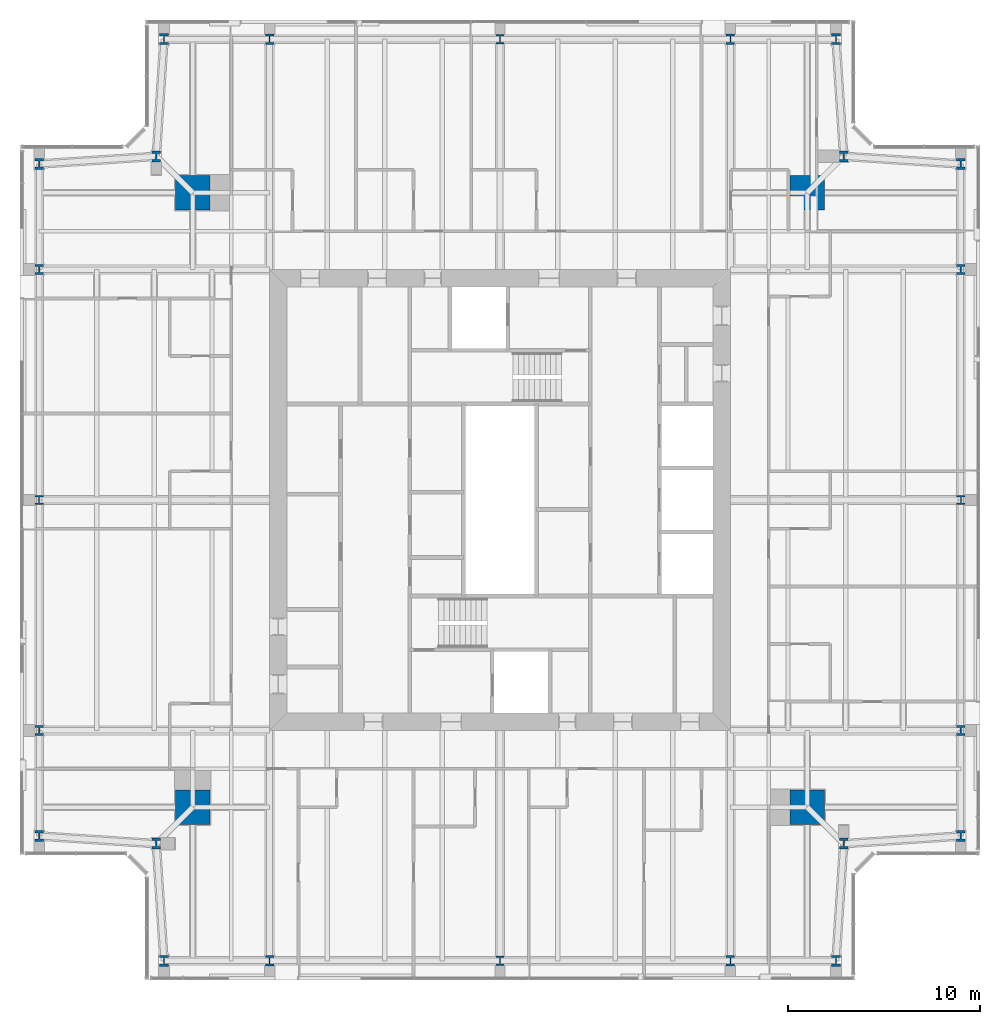
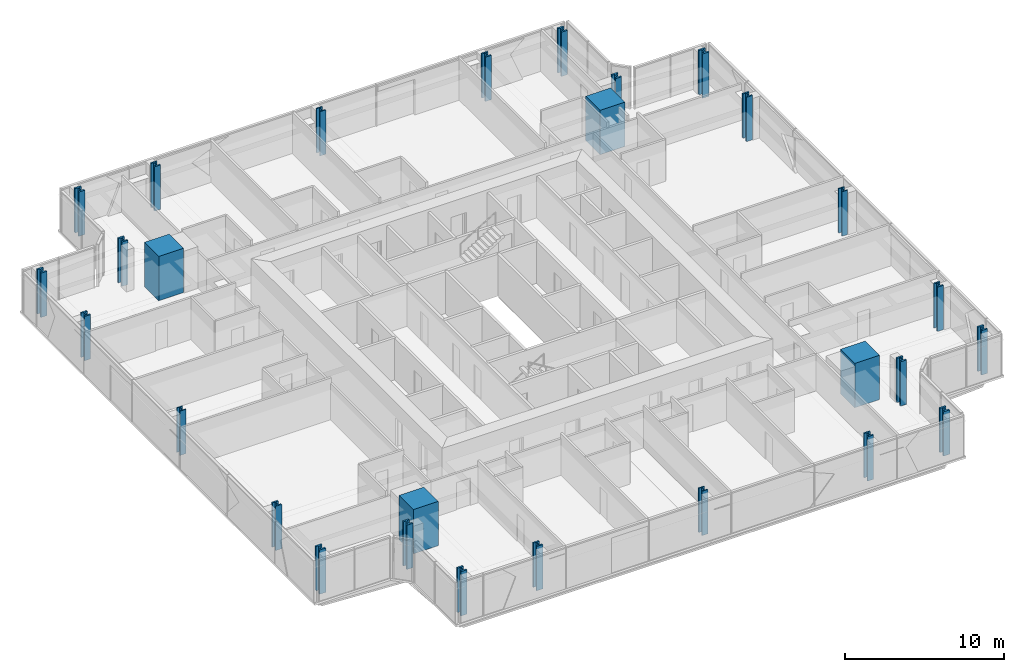
# One storey, part 1 of 18: 28 columns.
"""IFC4 building model written with IfcOpenShell, lengths in metres."""

from ifc_helpers import new_model, si_unit, direction, frame, origin, origin_2d, place, context, subcontext, project, spatial, rectangle, i_section, extrude, material, material_profile, profile_set, type_object, element, save


model = new_model("IFC4")

# Units and contexts
model_context = context("Model", 3, precision=1e-05, world=origin(), true_north=direction((0.0, 1.0)))
body_context = subcontext(model_context, "Body", "Model", "MODEL_VIEW")
ifc_project = project(units=[si_unit("LENGTHUNIT", "METRE"), si_unit("AREAUNIT", "SQUARE_METRE"), si_unit("VOLUMEUNIT", "CUBIC_METRE"), si_unit("PLANEANGLEUNIT", "RADIAN"), si_unit("MASSUNIT", "GRAM", prefix="KILO")], contexts=[model_context])

# Site, building, storey
site_placement = place(None, origin())
site = spatial("IfcSite", under=ifc_project, at=site_placement, CompositionType="ELEMENT")
building_placement = place(site_placement, origin())
building = spatial("IfcBuilding", under=site, at=building_placement, Name="Fenwick Lantern Interchange", CompositionType="ELEMENT")
storey_placement = place(building_placement, frame((0.0, 0.0, 293.39990234375)))
storey = spatial("IfcBuildingStorey", under=building, at=storey_placement, Name="L71", CompositionType="ELEMENT", Elevation=293.39990234375)

# Columns
ifc_material_1 = material(Name="Concrete f'c 70 MPa", Category="concrete")
ifc_material_profile_1 = material_profile(ifc_material_1, rectangle(XDim=1.800048828125, YDim=1.800048828125, at=origin_2d()), Name="RC1800X1800")
ifc_profile_set_1 = profile_set([ifc_material_profile_1], Name="Concrete f'c 70 MPa")
column_type_1 = type_object("IfcColumnType", Name="MEGA COLUMN RC1800X1800", PredefinedType="COLUMN", material=ifc_profile_set_1)
for number, where, z_axis, x_axis, name in (
    (1, (9.0, 9.0, 0.0), (0.0, 0.0, 1.0), (1.0, 0.0, 0.0), "L71/M1"),
    (2, (41.0, 9.0, 0.0), (0.0, 0.0, 1.0), (1.0, 0.0, 0.0), "L71/M2"),
    (3, (41.0, 41.0, 0.0), (0.0, 0.0, 1.0), (1.0, 0.0, 0.0), "L71/M3"),
    (4, (9.0, 41.0, 0.0), (0.0, 0.0, 1.0), (1.0, 0.0, 0.0), "L71/M4"),
):
    element("IfcColumn", number, at=place(storey_placement, frame(where, z_axis=z_axis, x_axis=x_axis)), inside=storey, type_object=column_type_1, Name=name, PredefinedType="COLUMN", context=body_context, shape_type="SweptSolid", body=[
        extrude(rectangle(XDim=1.800048828125, YDim=1.800048828125, at=origin_2d()), origin(), (0.0, 0.0, 1.0), 3.400146484375),
    ])
ifc_material_2 = material(Name="Steel ASTM A992 Grade 50", Category="steel")
ifc_material_profile_2 = material_profile(ifc_material_2, i_section(OverallWidth=0.424072265625, OverallDepth=0.47509765625, WebThickness=0.0478515625, FlangeThickness=0.0771484375, at=origin_2d()), Name="W14X426")
ifc_profile_set_2 = profile_set([ifc_material_profile_2], Name="Steel ASTM A992 Grade 50")
column_type_2 = type_object("IfcColumnType", Name="PERIMETER COLUMN W14X426", PredefinedType="COLUMN", material=ifc_profile_set_2)
for number, where, z_axis, x_axis, name in (
    (5, (25.0, 1.0, 0.0), (0.0, 0.0, 1.0), (1.0, 0.0, 0.0), "L71/CS3"),
    (6, (49.0, 25.0, 0.0), (0.0, 0.0, 1.0), (1.0, 0.0, 0.0), "L71/CE3"),
    (7, (25.0, 49.0, 0.0), (0.0, 0.0, 1.0), (1.0, 0.0, 0.0), "L71/CN3"),
    (8, (1.0, 25.0, 0.0), (0.0, 0.0, 1.0), (1.0, 0.0, 0.0), "L71/CW3"),
):
    element("IfcColumn", number, at=place(storey_placement, frame(where, z_axis=z_axis, x_axis=x_axis)), inside=storey, type_object=column_type_2, Name=name, PredefinedType="COLUMN", context=body_context, shape_type="SweptSolid", body=[
        extrude(i_section(OverallWidth=0.424072265625, OverallDepth=0.47509765625, WebThickness=0.0478515625, FlangeThickness=0.0771484375, at=origin_2d()), origin(), (0.0, 0.0, 1.0), 3.400146484375),
    ])
ifc_material_profile_3 = material_profile(ifc_material_2, i_section(OverallWidth=0.44189453125, OverallDepth=0.53076171875, WebThickness=0.06591796875, FlangeThickness=0.105712890625, at=origin_2d()), Name="W14X605")
ifc_profile_set_3 = profile_set([ifc_material_profile_3], Name="Steel ASTM A992 Grade 50")
column_type_3 = type_object("IfcColumnType", Name="PERIMETER COLUMN W14X605", PredefinedType="COLUMN", material=ifc_profile_set_3)
for number, where, z_axis, x_axis, name in (
    (9, (13.0, 1.0, 0.0), (0.0, 0.0, 1.0), (1.0, 0.0, 0.0), "L71/CS2"),
    (10, (37.0, 1.0, 0.0), (0.0, 0.0, 1.0), (1.0, 0.0, 0.0), "L71/CS4"),
    (11, (49.0, 13.0, 0.0), (0.0, 0.0, 1.0), (1.0, 0.0, 0.0), "L71/CE2"),
    (12, (49.0, 37.0, 0.0), (0.0, 0.0, 1.0), (1.0, 0.0, 0.0), "L71/CE4"),
    (13, (37.0, 49.0, 0.0), (0.0, 0.0, 1.0), (1.0, 0.0, 0.0), "L71/CN2"),
    (14, (13.0, 49.0, 0.0), (0.0, 0.0, 1.0), (1.0, 0.0, 0.0), "L71/CN4"),
    (15, (1.0, 37.0, 0.0), (0.0, 0.0, 1.0), (1.0, 0.0, 0.0), "L71/CW2"),
    (16, (1.0, 13.0, 0.0), (0.0, 0.0, 1.0), (1.0, 0.0, 0.0), "L71/CW4"),
):
    element("IfcColumn", number, at=place(storey_placement, frame(where, z_axis=z_axis, x_axis=x_axis)), inside=storey, type_object=column_type_3, Name=name, PredefinedType="COLUMN", context=body_context, shape_type="SweptSolid", body=[
        extrude(i_section(OverallWidth=0.44189453125, OverallDepth=0.53076171875, WebThickness=0.06591796875, FlangeThickness=0.105712890625, at=origin_2d()), origin(), (0.0, 0.0, 1.0), 3.400146484375),
    ])
ifc_material_profile_4 = material_profile(ifc_material_2, i_section(OverallWidth=0.45458984375, OverallDepth=0.56884765625, WebThickness=0.077880859375, FlangeThickness=0.124755859375, at=origin_2d()), Name="W14X730")
ifc_profile_set_4 = profile_set([ifc_material_profile_4], Name="Steel ASTM A992 Grade 50")
column_type_4 = type_object("IfcColumnType", Name="PERIMETER COLUMN W14X730", PredefinedType="COLUMN", material=ifc_profile_set_4)
for number, where, z_axis, x_axis, name in (
    (17, (7.5, 1.0, 0.0), (0.0, 0.0, 1.0), (1.0, 0.0, 0.0), "L71/CS1"),
    (18, (42.5, 1.0, 0.0), (0.0, 0.0, 1.0), (1.0, 0.0, 0.0), "L71/CS5"),
    (19, (42.89990234375, 7.10009765625, 0.0), (0.0, 0.0, 1.0), (1.0, 0.0, 0.0), "L71/CSR"),
    (20, (49.0, 7.5, 0.0), (0.0, 0.0, 1.0), (1.0, 0.0, 0.0), "L71/CE1"),
    (21, (49.0, 42.5, 0.0), (0.0, 0.0, 1.0), (1.0, 0.0, 0.0), "L71/CE5"),
    (22, (42.89990234375, 42.89990234375, 0.0), (0.0, 0.0, 1.0), (1.0, 0.0, 0.0), "L71/CER"),
    (23, (42.5, 49.0, 0.0), (0.0, 0.0, 1.0), (1.0, 0.0, 0.0), "L71/CN1"),
    (24, (7.5, 49.0, 0.0), (0.0, 0.0, 1.0), (1.0, 0.0, 0.0), "L71/CN5"),
    (25, (7.10009765625, 42.89990234375, 0.0), (0.0, 0.0, 1.0), (1.0, 0.0, 0.0), "L71/CNR"),
    (26, (1.0, 42.5, 0.0), (0.0, 0.0, 1.0), (1.0, 0.0, 0.0), "L71/CW1"),
    (27, (1.0, 7.5, 0.0), (0.0, 0.0, 1.0), (1.0, 0.0, 0.0), "L71/CW5"),
    (28, (7.10009765625, 7.10009765625, 0.0), (0.0, 0.0, 1.0), (1.0, 0.0, 0.0), "L71/CWR"),
):
    element("IfcColumn", number, at=place(storey_placement, frame(where, z_axis=z_axis, x_axis=x_axis)), inside=storey, type_object=column_type_4, Name=name, PredefinedType="COLUMN", context=body_context, shape_type="SweptSolid", body=[
        extrude(i_section(OverallWidth=0.45458984375, OverallDepth=0.56884765625, WebThickness=0.077880859375, FlangeThickness=0.124755859375, at=origin_2d()), origin(), (0.0, 0.0, 1.0), 3.400146484375),
    ])

save(model, "model.ifc")
